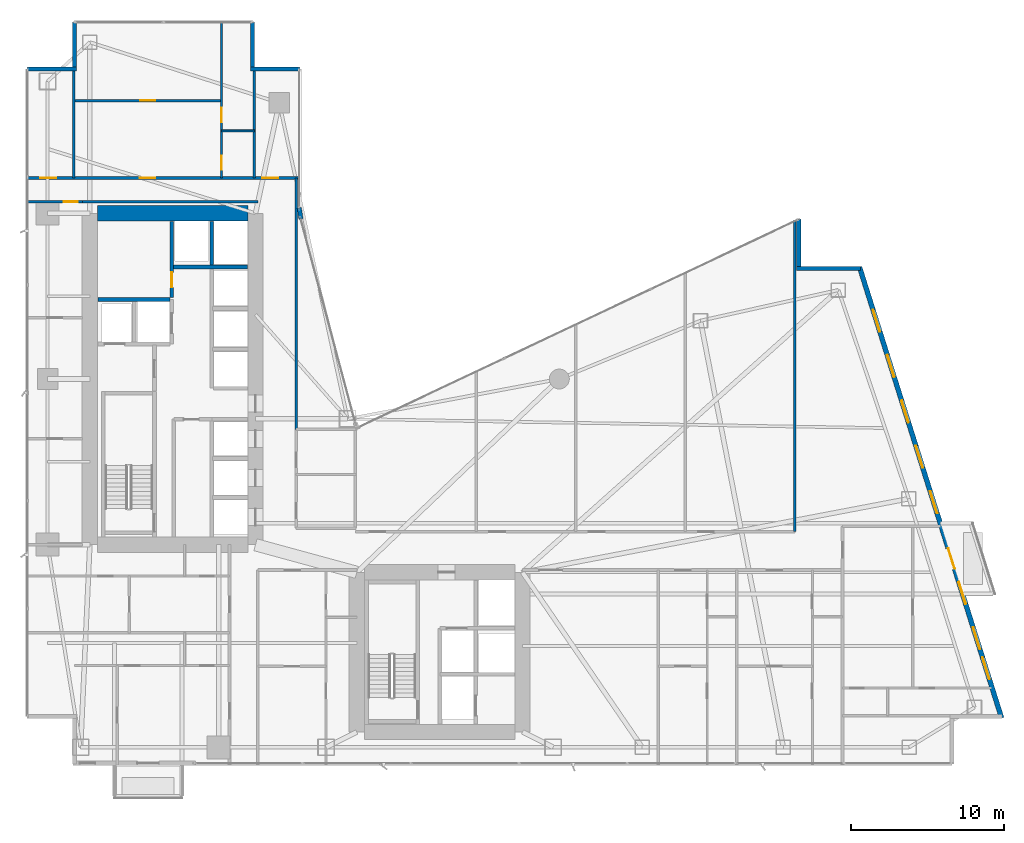
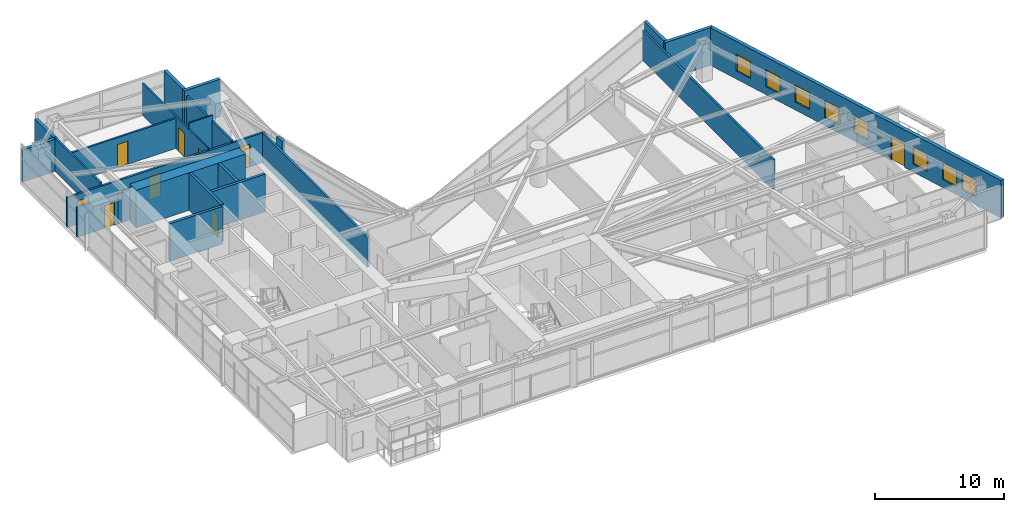
# One storey, part 25 of 29: 23 walls, 9 doors, 8 windows, 17 openings.
"""IFC4 building model written with IfcOpenShell, lengths in metres."""

from ifc_helpers import new_model, si_unit, direction, frame, frame_2d, origin, place, context, subcontext, project, spatial, rectangle, extrude, material, layer, layer_set, type_object, element, fill, save


model = new_model("IFC4")

# Units and contexts
model_context = context("Model", 3, precision=1e-05, world=origin(), true_north=direction((0.0, 1.0)))
body_context = subcontext(model_context, "Body", "Model", "MODEL_VIEW")
ifc_project = project(units=[si_unit("LENGTHUNIT", "METRE"), si_unit("AREAUNIT", "SQUARE_METRE"), si_unit("VOLUMEUNIT", "CUBIC_METRE"), si_unit("PLANEANGLEUNIT", "RADIAN"), si_unit("MASSUNIT", "GRAM", prefix="KILO")], contexts=[model_context])

# Site, building, storey
site_placement = place(None, origin())
site = spatial("IfcSite", under=ifc_project, at=site_placement, CompositionType="ELEMENT")
building_placement = place(site_placement, origin())
building = spatial("IfcBuilding", under=site, at=building_placement, Name="Calvorn Quay Hotel", CompositionType="ELEMENT")
storey_placement = place(building_placement, frame((0.0, 0.0, 81.199951171875)))
storey = spatial("IfcBuildingStorey", under=building, at=storey_placement, Name="L19", CompositionType="ELEMENT", Elevation=81.199951171875)

# Wall
ifc_material_1 = material(Name="Concrete C60", Category="concrete")
ifc_layer_1 = layer(ifc_material_1, 1.0)
ifc_layer_set_1 = layer_set([ifc_layer_1], Name="WL-CORE-1000")
wall_type_1 = type_object("IfcWallType", Name="WL-CORE-1000", PredefinedType="SHEAR", material=ifc_layer_set_1)
wall_1_placement = place(storey_placement, frame((4.699951171875, 38.39990234375, 0.0), z_axis=(0.0, 0.0, 1.0), x_axis=(1.0, 0.0, 0.0)))
element("IfcWall", 1, at=wall_1_placement, inside=storey, type_object=wall_type_1, Name="West Core Shear Wall N (L19)", PredefinedType="SHEAR", context=body_context, shape_type="SweptSolid", body=[
    extrude(rectangle(XDim=9.800048828125, YDim=1.0, at=frame_2d((4.89990234375, 0.0))), origin(), (0.0, 0.0, 1.0), 3.56005859375),
])

# Wall, opening, door
ifc_material_2 = material(Name="Acoustic Fireboard Steel-Stud Partition", Category="steel")
ifc_layer_2 = layer(ifc_material_2, 0.179931640625)
ifc_layer_set_2 = layer_set([ifc_layer_2], Name="WL-CORR-FIRE-180")
wall_type_2 = type_object("IfcWallType", Name="WL-CORR-FIRE-180", PredefinedType="PARTITIONING", material=ifc_layer_set_2)
wall_2_placement = place(storey_placement, frame((0.080078125, 39.14990234375, 0.0), z_axis=(0.0, 0.0, 1.0), x_axis=(1.0, 0.0, 0.0)))
wall_2 = element("IfcWall", 2, at=wall_2_placement, inside=storey, type_object=wall_type_2, Name="Partition Wall L19-WL-WBAY-N-DOOR", PredefinedType="PARTITIONING", context=body_context, shape_type="SweptSolid", body=[
    extrude(rectangle(XDim=3.64990234375, YDim=0.179931640625, at=frame_2d((1.824951171875, 0.0))), origin(), (0.0, 0.0, 1.0), 2.840087890625),
])
opening_1_placement = place(wall_2_placement, frame((2.429931640625, 0.0, 0.0)))
opening_1 = element("IfcOpeningElement", 3, at=opening_1_placement, cuts=wall_2, Name="Opening D-L19-WBN", PredefinedType="OPENING", context=body_context, shape_type="SweptSolid", body=[
    extrude(rectangle(XDim=0.89990234375, YDim=2.14990234375, at=frame_2d((0.449951171875, 1.074951171875))), frame((0.0, 0.099853515625, 0.0), z_axis=(0.0, -1.0, 0.0), x_axis=(1.0, 0.0, 0.0)), (0.0, 0.0, 1.0), 0.199951171875),
])
ifc_material_3 = material(Name="Moisture-Sealed Timber En-Suite Door", Category="wood")
door_type_1 = type_object("IfcDoorType", Name="DR-ENSUITE-900", OperationType="NOTDEFINED", PredefinedType="DOOR", material=ifc_material_3)
door_1_placement = place(opening_1_placement, origin())
door_1 = element("IfcDoor", 4, at=door_1_placement, inside=storey, type_object=door_type_1, Name="West North Bay Door (L19)", OperationType="SINGLE_SWING_LEFT", OverallHeight=2.14990234375, OverallWidth=0.89990234375, PredefinedType="DOOR", context=body_context, shape_type="SweptSolid", body=[
    extrude(rectangle(XDim=0.89990234375, YDim=2.14990234375, at=frame_2d((0.449951171875, 1.074951171875))), frame((0.0, 0.02490234375, 0.0), z_axis=(0.0, -1.0, 0.0), x_axis=(1.0, 0.0, 0.0)), (0.0, 0.0, 1.0), 0.050048828125),
])
fill(opening_1, door_1)

# Wall, openings, doors
wall_3_placement = place(storey_placement, frame((0.080078125, 40.699951171875, 0.0), z_axis=(0.0, 0.0, 1.0), x_axis=(1.0, 0.0, 0.0)))
wall_3 = element("IfcWall", 5, at=wall_3_placement, inside=storey, type_object=wall_type_2, Name="Partition Wall L19-WL-CORR-NW-N", PredefinedType="PARTITIONING", context=body_context, shape_type="SweptSolid", body=[
    extrude(rectangle(XDim=17.77001953125, YDim=0.179931640625, at=frame_2d((8.885009765625, 0.0))), origin(), (0.0, 0.0, 1.0), 2.840087890625),
])
opening_2_placement = place(wall_3_placement, frame((0.89990234375, 0.0, 0.0)))
opening_2 = element("IfcOpeningElement", 6, at=opening_2_placement, cuts=wall_3, Name="Opening D-L19-NWW", PredefinedType="OPENING", context=body_context, shape_type="SweptSolid", body=[
    extrude(rectangle(XDim=1.02001953125, YDim=2.199951171875, at=frame_2d((0.510009765625, 1.10009765625))), frame((0.0, 0.099853515625, 0.0), z_axis=(0.0, -1.0, 0.0), x_axis=(1.0, 0.0, 0.0)), (0.0, 0.0, 1.0), 0.199951171875),
])
opening_3_placement = place(wall_3_placement, frame((7.3798828125, 0.0, 0.0)))
opening_3 = element("IfcOpeningElement", 7, at=opening_3_placement, cuts=wall_3, Name="Opening D-L19-U04", PredefinedType="OPENING", context=body_context, shape_type="SweptSolid", body=[
    extrude(rectangle(XDim=1.02001953125, YDim=2.199951171875, at=frame_2d((0.510009765625, 1.10009765625))), frame((0.0, 0.099853515625, 0.0), z_axis=(0.0, -1.0, 0.0), x_axis=(1.0, 0.0, 0.0)), (0.0, 0.0, 1.0), 0.199951171875),
])
opening_4_placement = place(wall_3_placement, frame((15.3701171875, 0.0, 0.0)))
opening_4 = element("IfcOpeningElement", 8, at=opening_4_placement, cuts=wall_3, Name="Opening D-L19-NWE", PredefinedType="OPENING", context=body_context, shape_type="SweptSolid", body=[
    extrude(rectangle(XDim=1.02001953125, YDim=2.199951171875, at=frame_2d((0.510009765625, 1.10009765625))), frame((0.0, 0.099853515625, 0.0), z_axis=(0.0, -1.0, 0.0), x_axis=(1.0, 0.0, 0.0)), (0.0, 0.0, 1.0), 0.199951171875),
])
ifc_material_4 = material(Name="Solid-Core Walnut Veneer Hotel Fire Door")
door_type_2 = type_object("IfcDoorType", Name="DR-GUEST-ENTRY-1020", OperationType="NOTDEFINED", PredefinedType="DOOR", material=ifc_material_4)
door_2_placement = place(opening_2_placement, origin())
door_2 = element("IfcDoor", 9, at=door_2_placement, inside=storey, type_object=door_type_2, Name="West Corner Study Door (L19)", OperationType="SINGLE_SWING_LEFT", OverallHeight=2.199951171875, OverallWidth=1.02001953125, PredefinedType="DOOR", context=body_context, shape_type="SweptSolid", body=[
    extrude(rectangle(XDim=1.02001953125, YDim=2.199951171875, at=frame_2d((0.510009765625, 1.10009765625))), frame((0.0, 0.02490234375, 0.0), z_axis=(0.0, -1.0, 0.0), x_axis=(1.0, 0.0, 0.0)), (0.0, 0.0, 1.0), 0.050048828125),
])
fill(opening_2, door_2)
door_3_placement = place(opening_3_placement, origin())
door_3 = element("IfcDoor", 10, at=door_3_placement, inside=storey, type_object=door_type_2, Name="North-West Unit Door U04 (L19)", OperationType="SINGLE_SWING_RIGHT", OverallHeight=2.199951171875, OverallWidth=1.02001953125, PredefinedType="DOOR", context=body_context, shape_type="SweptSolid", body=[
    extrude(rectangle(XDim=1.02001953125, YDim=2.199951171875, at=frame_2d((0.510009765625, 1.10009765625))), frame((0.0, 0.02490234375, 0.0), z_axis=(0.0, -1.0, 0.0), x_axis=(1.0, 0.0, 0.0)), (0.0, 0.0, 1.0), 0.050048828125),
])
fill(opening_3, door_3)
door_4_placement = place(opening_4_placement, origin())
door_4 = element("IfcDoor", 11, at=door_4_placement, inside=storey, type_object=door_type_2, Name="Inner Court Study Door (L19)", OperationType="SINGLE_SWING_RIGHT", OverallHeight=2.199951171875, OverallWidth=1.02001953125, PredefinedType="DOOR", context=body_context, shape_type="SweptSolid", body=[
    extrude(rectangle(XDim=1.02001953125, YDim=2.199951171875, at=frame_2d((0.510009765625, 1.10009765625))), frame((0.0, 0.02490234375, 0.0), z_axis=(0.0, -1.0, 0.0), x_axis=(1.0, 0.0, 0.0)), (0.0, 0.0, 1.0), 0.050048828125),
])
fill(opening_4, door_4)

# Walls
wall_4_placement = place(storey_placement, frame((17.64990234375, 24.300048828125, 0.0), z_axis=(0.0, 0.0, 1.0), x_axis=(0.0, 1.0, 0.0)))
element("IfcWall", 12, at=wall_4_placement, inside=storey, type_object=wall_type_2, Name="Partition Wall L19-WL-NW-CLOSURE-E", PredefinedType="PARTITIONING", context=body_context, shape_type="SweptSolid", body=[
    extrude(rectangle(XDim=16.39990234375, YDim=0.179931640625, at=frame_2d((8.199951171875, 0.0))), origin(), (0.0, 0.0, 1.0), 2.840087890625),
])
wall_5_placement = place(storey_placement, frame((3.679931640625, 39.14990234375, 0.0), z_axis=(0.0, 0.0, 1.0), x_axis=(1.0, 0.0, 0.0)))
element("IfcWall", 13, at=wall_5_placement, inside=storey, type_object=wall_type_2, Name="Partition Wall L19-WL-W-SPUR-S", PredefinedType="PARTITIONING", context=body_context, shape_type="SweptSolid", body=[
    extrude(rectangle(XDim=11.469970703125, YDim=0.179931640625, at=frame_2d((5.73486328125, 0.0))), origin(), (0.0, 0.0, 1.0), 2.840087890625),
])
wall_6_placement = place(storey_placement, frame((50.14990234375, 17.64990234375, 0.0), z_axis=(0.0, 0.0, 1.0), x_axis=(0.0, 1.0, 0.0)))
element("IfcWall", 14, at=wall_6_placement, inside=storey, type_object=wall_type_2, Name="Partition Wall L19-WL-NE-END-E", PredefinedType="PARTITIONING", context=body_context, shape_type="SweptSolid", body=[
    extrude(rectangle(XDim=20.31005859375, YDim=0.179931640625, at=frame_2d((10.155029296875, 0.0))), origin(), (0.0, 0.0, 1.0), 2.840087890625),
])
ifc_material_5 = material(Name="Moisture-Resistant Tile-Backed Partition")
ifc_layer_3 = layer(ifc_material_5, 0.125)
ifc_layer_set_3 = layer_set([ifc_layer_3], Name="WL-ENSUITE-125")
wall_type_3 = type_object("IfcWallType", Name="WL-ENSUITE-125", PredefinedType="PARTITIONING", material=ifc_layer_set_3)
wall_7_placement = place(storey_placement, frame((12.7900390625, 43.77001953125, 0.0), z_axis=(0.0, 0.0, 1.0), x_axis=(1.0, 0.0, 0.0)))
element("IfcWall", 15, at=wall_7_placement, inside=storey, type_object=wall_type_3, Name="Partition Wall L19-WL-U04-BDV", PredefinedType="PARTITIONING", context=body_context, shape_type="SweptSolid", body=[
    extrude(rectangle(XDim=2.1298828125, YDim=0.125, at=frame_2d((1.06494140625, 0.0))), origin(), (0.0, 0.0, 1.0), 3.56005859375),
])

# Wall, openings, doors
wall_8_placement = place(storey_placement, frame((12.7900390625, 40.699951171875, 0.0), z_axis=(0.0, 0.0, 1.0), x_axis=(0.0, 1.0, 0.0)))
wall_8 = element("IfcWall", 16, at=wall_8_placement, inside=storey, type_object=wall_type_3, Name="Partition Wall L19-WL-U04-BV", PredefinedType="PARTITIONING", context=body_context, shape_type="SweptSolid", body=[
    extrude(rectangle(XDim=10.239990234375, YDim=0.125, at=frame_2d((5.1201171875, 0.0))), origin(), (0.0, 0.0, 1.0), 3.0400390625),
])
opening_5_placement = place(wall_8_placement, frame((0.550048828125, 0.0, 0.0)))
opening_5 = element("IfcOpeningElement", 17, at=opening_5_placement, cuts=wall_8, Name="Opening D-L19-E04", PredefinedType="OPENING", context=body_context, shape_type="SweptSolid", body=[
    extrude(rectangle(XDim=0.89990234375, YDim=2.14990234375, at=frame_2d((0.449951171875, 1.074951171875))), frame((0.0, 0.072509765625, 0.0), z_axis=(0.0, -1.0, 0.0), x_axis=(1.0, 0.0, 0.0)), (0.0, 0.0, 1.0), 0.14501953125),
])
opening_6_placement = place(wall_8_placement, frame((3.6201171875, 0.0, 0.0)))
opening_6 = element("IfcOpeningElement", 18, at=opening_6_placement, cuts=wall_8, Name="Opening D-L19-S04", PredefinedType="OPENING", context=body_context, shape_type="SweptSolid", body=[
    extrude(rectangle(XDim=0.9599609375, YDim=2.199951171875, at=frame_2d((0.47998046875, 1.10009765625))), frame((0.0, 0.072509765625, 0.0), z_axis=(0.0, -1.0, 0.0), x_axis=(1.0, 0.0, 0.0)), (0.0, 0.0, 1.0), 0.14501953125),
])
door_5_placement = place(opening_5_placement, origin())
door_5 = element("IfcDoor", 19, at=door_5_placement, inside=storey, type_object=door_type_1, Name="En-Suite Door 04", OperationType="SINGLE_SWING_LEFT", OverallHeight=2.14990234375, OverallWidth=0.89990234375, PredefinedType="DOOR", context=body_context, shape_type="SweptSolid", body=[
    extrude(rectangle(XDim=0.89990234375, YDim=2.14990234375, at=frame_2d((0.449951171875, 1.074951171875))), frame((0.0, 0.02490234375, 0.0), z_axis=(0.0, -1.0, 0.0), x_axis=(1.0, 0.0, 0.0)), (0.0, 0.0, 1.0), 0.050048828125),
])
fill(opening_5, door_5)
ifc_material_6 = material(Name="Solid Timber Internal Suite Door", Category="wood")
door_type_3 = type_object("IfcDoorType", Name="DR-SUITE-INT-960", OperationType="NOTDEFINED", PredefinedType="DOOR", material=ifc_material_6)
door_6_placement = place(opening_6_placement, origin())
door_6 = element("IfcDoor", 20, at=door_6_placement, inside=storey, type_object=door_type_3, Name="Private Media Cinema Door 04", OperationType="SINGLE_SWING_RIGHT", OverallHeight=2.199951171875, OverallWidth=0.9599609375, PredefinedType="DOOR", context=body_context, shape_type="SweptSolid", body=[
    extrude(rectangle(XDim=0.9599609375, YDim=2.199951171875, at=frame_2d((0.47998046875, 1.10009765625))), frame((0.0, 0.02490234375, 0.0), z_axis=(0.0, -1.0, 0.0), x_axis=(1.0, 0.0, 0.0)), (0.0, 0.0, 1.0), 0.050048828125),
])
fill(opening_6, door_6)

# Walls
ifc_material_7 = material(Name="Concrete C40", Category="concrete")
ifc_layer_4 = layer(ifc_material_7, 0.320068359375)
ifc_layer_set_4 = layer_set([ifc_layer_4], Name="WL-EXT-SPANDREL-320")
wall_type_4 = type_object("IfcWallType", Name="WL-EXT-SPANDREL-320", PredefinedType="SOLIDWALL", material=ifc_layer_set_4)
wall_9_placement = place(storey_placement, frame((17.9619140625, 38.030029296875, 0.0), z_axis=(0.0, 0.0, 1.0), x_axis=(-0.15141125477, 0.988470855377, 0.0)))
element("IfcWall", 21, at=wall_9_placement, inside=storey, type_object=wall_type_4, Name="Inner Court Corner Pier L19-ICJ2", PredefinedType="SOLIDWALL", context=body_context, shape_type="SweptSolid", body=[
    extrude(rectangle(XDim=0.738525390625, YDim=0.280029296875, at=frame_2d((0.369140625, 0.0))), origin(), (0.0, 0.0, 1.0), 3.56005859375),
])
wall_10_placement = place(storey_placement, frame((54.43994140625, 34.800048828125, 0.0), z_axis=(0.0, 0.0, 1.0), x_axis=(-1.0, 0.0, 0.0)))
element("IfcWall", 22, at=wall_10_placement, inside=storey, type_object=wall_type_4, Name="Notched Corner Spandrel L19-NE1", PredefinedType="SOLIDWALL", context=body_context, shape_type="SweptSolid", body=[
    extrude(rectangle(XDim=4.179931640625, YDim=0.280029296875, at=frame_2d((2.08984375, 0.0))), origin(), (0.0, 0.0, 1.0), 3.56005859375),
])
wall_11_placement = place(storey_placement, frame((50.39990234375, 34.93994140625, 0.0), z_axis=(0.0, 0.0, 1.0), x_axis=(0.0, 1.0, 0.0)))
element("IfcWall", 23, at=wall_11_placement, inside=storey, type_object=wall_type_4, Name="Notched Corner Spandrel L19-NE2", PredefinedType="SOLIDWALL", context=body_context, shape_type="SweptSolid", body=[
    extrude(rectangle(XDim=3.10009765625, YDim=0.280029296875, at=frame_2d((1.550048828125, 0.0))), origin(), (0.0, 0.0, 1.0), 3.56005859375),
])
wall_12_placement = place(storey_placement, frame((17.89990234375, 47.800048828125, 0.0), z_axis=(0.0, 0.0, 1.0), x_axis=(-1.0, 0.0, 0.0)))
element("IfcWall", 24, at=wall_12_placement, inside=storey, type_object=wall_type_4, Name="Notched Corner Spandrel L19-NWE1", PredefinedType="SOLIDWALL", context=body_context, shape_type="SweptSolid", body=[
    extrude(rectangle(XDim=3.239990234375, YDim=0.280029296875, at=frame_2d((1.6201171875, 0.0))), origin(), (0.0, 0.0, 1.0), 3.56005859375),
])
wall_13_placement = place(storey_placement, frame((14.800048828125, 47.93994140625, 0.0), z_axis=(0.0, 0.0, 1.0), x_axis=(0.0, 1.0, 0.0)))
element("IfcWall", 25, at=wall_13_placement, inside=storey, type_object=wall_type_4, Name="Notched Corner Spandrel L19-NWE2", PredefinedType="SOLIDWALL", context=body_context, shape_type="SweptSolid", body=[
    extrude(rectangle(XDim=2.93994140625, YDim=0.280029296875, at=frame_2d((1.469970703125, 0.0))), origin(), (0.0, 0.0, 1.0), 3.56005859375),
])
wall_14_placement = place(storey_placement, frame((3.199951171875, 50.8798828125, 0.0), z_axis=(0.0, 0.0, 1.0), x_axis=(0.0, -1.0, 0.0)))
element("IfcWall", 26, at=wall_14_placement, inside=storey, type_object=wall_type_4, Name="Notched Corner Spandrel L19-NW1", PredefinedType="SOLIDWALL", context=body_context, shape_type="SweptSolid", body=[
    extrude(rectangle(XDim=2.93994140625, YDim=0.280029296875, at=frame_2d((1.469970703125, 0.0))), origin(), (0.0, 0.0, 1.0), 3.0400390625),
])
wall_15_placement = place(storey_placement, frame((3.340087890625, 47.800048828125, 0.0), z_axis=(0.0, 0.0, 1.0), x_axis=(-1.0, 0.0, 0.0)))
element("IfcWall", 27, at=wall_15_placement, inside=storey, type_object=wall_type_4, Name="Notched Corner Spandrel L19-NW2", PredefinedType="SOLIDWALL", context=body_context, shape_type="SweptSolid", body=[
    extrude(rectangle(XDim=3.219970703125, YDim=0.280029296875, at=frame_2d((1.60986328125, 0.0))), origin(), (0.0, 0.0, 1.0), 3.0400390625),
])

# Wall, openings, door, windows
wall_16_placement = place(storey_placement, frame((63.6298828125, 5.5048828125, 0.0), z_axis=(0.0, 0.0, 1.0), x_axis=(-0.300501856448, 0.953781229775, 0.0)))
wall_16 = element("IfcWall", 28, at=wall_16_placement, inside=storey, type_object=wall_type_4, Name="East Stepped Waterfront Exterior Wall (L19)", PredefinedType="SOLIDWALL", context=body_context, shape_type="SweptSolid", body=[
    extrude(rectangle(XDim=30.814453125, YDim=0.320068359375, at=frame_2d((15.4072265625, 0.0))), origin(), (0.0, 0.0, 1.0), 3.56005859375),
])
opening_7_placement = place(wall_16_placement, frame((10.198974609375, 0.0, 0.0)))
opening_7 = element("IfcOpeningElement", 29, at=opening_7_placement, cuts=wall_16, Name="Opening DB-L19-1", PredefinedType="OPENING", context=body_context, shape_type="SweptSolid", body=[
    extrude(rectangle(XDim=1.39990234375, YDim=2.25, at=frame_2d((0.699951171875, 1.125))), frame((0.0, 0.169921875, 0.0), z_axis=(0.0, -1.0, 0.0), x_axis=(1.0, 0.0, 0.0)), (0.0, 0.0, 1.0), 0.340087890625),
])
opening_8_placement = place(wall_16_placement, frame((2.64990234375, 0.0, 0.75)))
opening_8 = element("IfcOpeningElement", 30, at=opening_8_placement, cuts=wall_16, Name="Opening WG-L19-E1", PredefinedType="OPENING", context=body_context, shape_type="SweptSolid", body=[
    extrude(rectangle(XDim=1.5, YDim=1.60009765625, at=frame_2d((0.75, 0.800048828125))), frame((0.0, 0.169921875, 0.0), z_axis=(0.0, -1.0, 0.0), x_axis=(1.0, 0.0, 0.0)), (0.0, 0.0, 1.0), 0.340087890625),
])
opening_9_placement = place(wall_16_placement, frame((4.699951171875, 0.0, 0.75)))
opening_9 = element("IfcOpeningElement", 31, at=opening_9_placement, cuts=wall_16, Name="Opening WG-L19-E2", PredefinedType="OPENING", context=body_context, shape_type="SweptSolid", body=[
    extrude(rectangle(XDim=1.5, YDim=1.60009765625, at=frame_2d((0.75, 0.800048828125))), frame((0.0, 0.169921875, 0.0), z_axis=(0.0, -1.0, 0.0), x_axis=(1.0, 0.0, 0.0)), (0.0, 0.0, 1.0), 0.340087890625),
])
opening_10_placement = place(wall_16_placement, frame((7.800048828125, 0.0, 0.75)))
opening_10 = element("IfcOpeningElement", 32, at=opening_10_placement, cuts=wall_16, Name="Opening WG-L19-E3", PredefinedType="OPENING", context=body_context, shape_type="SweptSolid", body=[
    extrude(rectangle(XDim=1.5, YDim=1.60009765625, at=frame_2d((0.75, 0.800048828125))), frame((0.0, 0.169921875, 0.0), z_axis=(0.0, -1.0, 0.0), x_axis=(1.0, 0.0, 0.0)), (0.0, 0.0, 1.0), 0.340087890625),
])
opening_11_placement = place(wall_16_placement, frame((14.0, 0.0, 0.75)))
opening_11 = element("IfcOpeningElement", 33, at=opening_11_placement, cuts=wall_16, Name="Opening WG-L19-E4", PredefinedType="OPENING", context=body_context, shape_type="SweptSolid", body=[
    extrude(rectangle(XDim=1.5, YDim=1.60009765625, at=frame_2d((0.75, 0.800048828125))), frame((0.0, 0.169921875, 0.0), z_axis=(0.0, -1.0, 0.0), x_axis=(1.0, 0.0, 0.0)), (0.0, 0.0, 1.0), 0.340087890625),
])
opening_12_placement = place(wall_16_placement, frame((17.10009765625, 0.0, 0.75)))
opening_12 = element("IfcOpeningElement", 34, at=opening_12_placement, cuts=wall_16, Name="Opening WG-L19-E5", PredefinedType="OPENING", context=body_context, shape_type="SweptSolid", body=[
    extrude(rectangle(XDim=1.5, YDim=1.60009765625, at=frame_2d((0.75, 0.800048828125))), frame((0.0, 0.169921875, 0.0), z_axis=(0.0, -1.0, 0.0), x_axis=(1.0, 0.0, 0.0)), (0.0, 0.0, 1.0), 0.340087890625),
])
opening_13_placement = place(wall_16_placement, frame((20.199951171875, 0.0, 0.75)))
opening_13 = element("IfcOpeningElement", 35, at=opening_13_placement, cuts=wall_16, Name="Opening WG-L19-E6", PredefinedType="OPENING", context=body_context, shape_type="SweptSolid", body=[
    extrude(rectangle(XDim=1.5, YDim=1.60009765625, at=frame_2d((0.75, 0.800048828125))), frame((0.0, 0.169921875, 0.0), z_axis=(0.0, -1.0, 0.0), x_axis=(1.0, 0.0, 0.0)), (0.0, 0.0, 1.0), 0.340087890625),
])
opening_14_placement = place(wall_16_placement, frame((23.300048828125, 0.0, 0.75)))
opening_14 = element("IfcOpeningElement", 36, at=opening_14_placement, cuts=wall_16, Name="Opening WG-L19-E7", PredefinedType="OPENING", context=body_context, shape_type="SweptSolid", body=[
    extrude(rectangle(XDim=1.5, YDim=1.60009765625, at=frame_2d((0.75, 0.800048828125))), frame((0.0, 0.169921875, 0.0), z_axis=(0.0, -1.0, 0.0), x_axis=(1.0, 0.0, 0.0)), (0.0, 0.0, 1.0), 0.340087890625),
])
opening_15_placement = place(wall_16_placement, frame((26.39990234375, 0.0, 0.75)))
opening_15 = element("IfcOpeningElement", 37, at=opening_15_placement, cuts=wall_16, Name="Opening WG-L19-E8", PredefinedType="OPENING", context=body_context, shape_type="SweptSolid", body=[
    extrude(rectangle(XDim=1.5, YDim=1.60009765625, at=frame_2d((0.75, 0.800048828125))), frame((0.0, 0.169921875, 0.0), z_axis=(0.0, -1.0, 0.0), x_axis=(1.0, 0.0, 0.0)), (0.0, 0.0, 1.0), 0.340087890625),
])
ifc_material_8 = material(Name="Typhoon-Rated Low-E Aluminium Terrace Door", Category="aluminium")
door_type_4 = type_object("IfcDoorType", Name="DR-BALCONY-GLZ-1400", OperationType="NOTDEFINED", PredefinedType="DOOR", material=ifc_material_8)
door_7_placement = place(opening_7_placement, origin())
door_7 = element("IfcDoor", 38, at=door_7_placement, inside=storey, type_object=door_type_4, Name="Tree Balcony Terrace Door L19-BALC-E", OperationType="SINGLE_SWING_LEFT", OverallHeight=2.25, OverallWidth=1.39990234375, PredefinedType="DOOR", context=body_context, shape_type="SweptSolid", body=[
    extrude(rectangle(XDim=1.39990234375, YDim=2.25, at=frame_2d((0.699951171875, 1.125))), frame((0.0, 0.02490234375, 0.0), z_axis=(0.0, -1.0, 0.0), x_axis=(1.0, 0.0, 0.0)), (0.0, 0.0, 1.0), 0.050048828125),
])
fill(opening_7, door_7)
ifc_material_9 = material(Name="Self-Closing Class B Fire Window")
window_type = type_object("IfcWindowType", Name="WIN-REFUGE-1500x1600", PartitioningType="SINGLE_PANEL", PredefinedType="WINDOW", material=ifc_material_9)
window_1_placement = place(opening_8_placement, origin())
window_1 = element("IfcWindow", 39, at=window_1_placement, inside=storey, type_object=window_type, Name="East Facade Window L19-E1", OverallHeight=1.60009765625, OverallWidth=1.5, PartitioningType="SINGLE_PANEL", PredefinedType="WINDOW", context=body_context, shape_type="SweptSolid", body=[
    extrude(rectangle(XDim=1.5, YDim=1.60009765625, at=frame_2d((0.75, 0.800048828125))), frame((0.0, 0.030029296875, 0.0), z_axis=(0.0, -1.0, 0.0), x_axis=(1.0, 0.0, 0.0)), (0.0, 0.0, 1.0), 0.06005859375),
])
fill(opening_8, window_1)
window_2_placement = place(opening_9_placement, origin())
window_2 = element("IfcWindow", 40, at=window_2_placement, inside=storey, type_object=window_type, Name="East Facade Window L19-E2", OverallHeight=1.60009765625, OverallWidth=1.5, PartitioningType="SINGLE_PANEL", PredefinedType="WINDOW", context=body_context, shape_type="SweptSolid", body=[
    extrude(rectangle(XDim=1.5, YDim=1.60009765625, at=frame_2d((0.75, 0.800048828125))), frame((0.0, 0.030029296875, 0.0), z_axis=(0.0, -1.0, 0.0), x_axis=(1.0, 0.0, 0.0)), (0.0, 0.0, 1.0), 0.06005859375),
])
fill(opening_9, window_2)
window_3_placement = place(opening_10_placement, origin())
window_3 = element("IfcWindow", 41, at=window_3_placement, inside=storey, type_object=window_type, Name="East Facade Window L19-E3", OverallHeight=1.60009765625, OverallWidth=1.5, PartitioningType="SINGLE_PANEL", PredefinedType="WINDOW", context=body_context, shape_type="SweptSolid", body=[
    extrude(rectangle(XDim=1.5, YDim=1.60009765625, at=frame_2d((0.75, 0.800048828125))), frame((0.0, 0.030029296875, 0.0), z_axis=(0.0, -1.0, 0.0), x_axis=(1.0, 0.0, 0.0)), (0.0, 0.0, 1.0), 0.06005859375),
])
fill(opening_10, window_3)
window_4_placement = place(opening_11_placement, origin())
window_4 = element("IfcWindow", 42, at=window_4_placement, inside=storey, type_object=window_type, Name="East Facade Window L19-E4", OverallHeight=1.60009765625, OverallWidth=1.5, PartitioningType="SINGLE_PANEL", PredefinedType="WINDOW", context=body_context, shape_type="SweptSolid", body=[
    extrude(rectangle(XDim=1.5, YDim=1.60009765625, at=frame_2d((0.75, 0.800048828125))), frame((0.0, 0.030029296875, 0.0), z_axis=(0.0, -1.0, 0.0), x_axis=(1.0, 0.0, 0.0)), (0.0, 0.0, 1.0), 0.06005859375),
])
fill(opening_11, window_4)
window_5_placement = place(opening_12_placement, origin())
window_5 = element("IfcWindow", 43, at=window_5_placement, inside=storey, type_object=window_type, Name="East Facade Window L19-E5", OverallHeight=1.60009765625, OverallWidth=1.5, PartitioningType="SINGLE_PANEL", PredefinedType="WINDOW", context=body_context, shape_type="SweptSolid", body=[
    extrude(rectangle(XDim=1.5, YDim=1.60009765625, at=frame_2d((0.75, 0.800048828125))), frame((0.0, 0.030029296875, 0.0), z_axis=(0.0, -1.0, 0.0), x_axis=(1.0, 0.0, 0.0)), (0.0, 0.0, 1.0), 0.06005859375),
])
fill(opening_12, window_5)
window_6_placement = place(opening_13_placement, origin())
window_6 = element("IfcWindow", 44, at=window_6_placement, inside=storey, type_object=window_type, Name="East Facade Window L19-E6", OverallHeight=1.60009765625, OverallWidth=1.5, PartitioningType="SINGLE_PANEL", PredefinedType="WINDOW", context=body_context, shape_type="SweptSolid", body=[
    extrude(rectangle(XDim=1.5, YDim=1.60009765625, at=frame_2d((0.75, 0.800048828125))), frame((0.0, 0.030029296875, 0.0), z_axis=(0.0, -1.0, 0.0), x_axis=(1.0, 0.0, 0.0)), (0.0, 0.0, 1.0), 0.06005859375),
])
fill(opening_13, window_6)
window_7_placement = place(opening_14_placement, origin())
window_7 = element("IfcWindow", 45, at=window_7_placement, inside=storey, type_object=window_type, Name="East Facade Window L19-E7", OverallHeight=1.60009765625, OverallWidth=1.5, PartitioningType="SINGLE_PANEL", PredefinedType="WINDOW", context=body_context, shape_type="SweptSolid", body=[
    extrude(rectangle(XDim=1.5, YDim=1.60009765625, at=frame_2d((0.75, 0.800048828125))), frame((0.0, 0.030029296875, 0.0), z_axis=(0.0, -1.0, 0.0), x_axis=(1.0, 0.0, 0.0)), (0.0, 0.0, 1.0), 0.06005859375),
])
fill(opening_14, window_7)
window_8_placement = place(opening_15_placement, origin())
window_8 = element("IfcWindow", 46, at=window_8_placement, inside=storey, type_object=window_type, Name="East Facade Window L19-E8", OverallHeight=1.60009765625, OverallWidth=1.5, PartitioningType="SINGLE_PANEL", PredefinedType="WINDOW", context=body_context, shape_type="SweptSolid", body=[
    extrude(rectangle(XDim=1.5, YDim=1.60009765625, at=frame_2d((0.75, 0.800048828125))), frame((0.0, 0.030029296875, 0.0), z_axis=(0.0, -1.0, 0.0), x_axis=(1.0, 0.0, 0.0)), (0.0, 0.0, 1.0), 0.06005859375),
])
fill(opening_15, window_8)

# Walls
ifc_material_10 = material(Name="Double-Stud Acoustic Gypsum Partition")
ifc_layer_5 = layer(ifc_material_10, 0.159912109375)
ifc_layer_set_5 = layer_set([ifc_layer_5], Name="WL-INTERSUITE-160")
wall_type_5 = type_object("IfcWallType", Name="WL-INTERSUITE-160", PredefinedType="PARTITIONING", material=ifc_layer_set_5)
wall_17_placement = place(storey_placement, frame((3.14990234375, 40.699951171875, 0.0), z_axis=(0.0, 0.0, 1.0), x_axis=(0.0, 1.0, 0.0)))
element("IfcWall", 47, at=wall_17_placement, inside=storey, type_object=wall_type_5, Name="Partition Wall L19-WL-NW-DIV-W0", PredefinedType="PARTITIONING", context=body_context, shape_type="SweptSolid", body=[
    extrude(rectangle(XDim=7.10009765625, YDim=0.159912109375, at=frame_2d((3.550048828125, 0.0))), origin(), (0.0, 0.0, 1.0), 3.14013671875),
])
wall_18_placement = place(storey_placement, frame((14.919921875, 40.699951171875, 0.0), z_axis=(0.0, 0.0, 1.0), x_axis=(0.0, 1.0, 0.0)))
element("IfcWall", 48, at=wall_18_placement, inside=storey, type_object=wall_type_5, Name="Partition Wall L19-WL-NW-DIV-E0", PredefinedType="PARTITIONING", context=body_context, shape_type="SweptSolid", body=[
    extrude(rectangle(XDim=7.10009765625, YDim=0.159912109375, at=frame_2d((3.550048828125, 0.0))), origin(), (0.0, 0.0, 1.0), 3.0400390625),
])

# Wall, opening, door
wall_19_placement = place(storey_placement, frame((3.14990234375, 45.75, 0.0), z_axis=(0.0, 0.0, 1.0), x_axis=(1.0, 0.0, 0.0)))
wall_19 = element("IfcWall", 49, at=wall_19_placement, inside=storey, type_object=wall_type_5, Name="Partition Wall L19-WL-U04-MSP", PredefinedType="PARTITIONING", context=body_context, shape_type="SweptSolid", body=[
    extrude(rectangle(XDim=9.64013671875, YDim=0.159912109375, at=frame_2d((4.820068359375, 0.0))), origin(), (0.0, 0.0, 1.0), 2.840087890625),
])
opening_16_placement = place(wall_19_placement, frame((4.340087890625, 0.0, 0.0)))
opening_16 = element("IfcOpeningElement", 50, at=opening_16_placement, cuts=wall_19, Name="Opening D-L19-M04", PredefinedType="OPENING", context=body_context, shape_type="SweptSolid", body=[
    extrude(rectangle(XDim=0.9599609375, YDim=2.199951171875, at=frame_2d((0.47998046875, 1.10009765625))), frame((0.0, 0.08984375, 0.0), z_axis=(0.0, -1.0, 0.0), x_axis=(1.0, 0.0, 0.0)), (0.0, 0.0, 1.0), 0.179931640625),
])
door_8_placement = place(opening_16_placement, origin())
door_8 = element("IfcDoor", 51, at=door_8_placement, inside=storey, type_object=door_type_3, Name="Suite Bedroom Door 04", OperationType="SINGLE_SWING_LEFT", OverallHeight=2.199951171875, OverallWidth=0.9599609375, PredefinedType="DOOR", context=body_context, shape_type="SweptSolid", body=[
    extrude(rectangle(XDim=0.9599609375, YDim=2.199951171875, at=frame_2d((0.47998046875, 1.10009765625))), frame((0.0, 0.02490234375, 0.0), z_axis=(0.0, -1.0, 0.0), x_axis=(1.0, 0.0, 0.0)), (0.0, 0.0, 1.0), 0.050048828125),
])
fill(opening_16, door_8)

ifc_material_11 = material(Name="Autoclaved Aerated Masonry Block", Category="masonry")
ifc_layer_6 = layer(ifc_material_11, 0.219970703125)
ifc_layer_set_6 = layer_set([ifc_layer_6], Name="WL-LOBBY-FIRE-220")
wall_type_6 = type_object("IfcWallType", Name="WL-LOBBY-FIRE-220", PredefinedType="SOLIDWALL", material=ifc_layer_set_6)
wall_20_placement = place(storey_placement, frame((9.5400390625, 32.919921875, 0.0), z_axis=(0.0, 0.0, 1.0), x_axis=(0.0, 1.0, 0.0)))
wall_20 = element("IfcWall", 52, at=wall_20_placement, inside=storey, type_object=wall_type_6, Name="Partition Wall L19-WL-CWW-K-E", PredefinedType="SOLIDWALL", context=body_context, shape_type="SweptSolid", body=[
    extrude(rectangle(XDim=4.9599609375, YDim=0.219970703125, at=frame_2d((2.47998046875, 0.0))), origin(), (0.0, 0.0, 1.0), 3.56005859375),
])
opening_17_placement = place(wall_20_placement, frame((0.64990234375, 0.0, 0.0)))
opening_17 = element("IfcOpeningElement", 53, at=opening_17_placement, cuts=wall_20, Name="Opening D-L19-CK1", PredefinedType="OPENING", context=body_context, shape_type="SweptSolid", body=[
    extrude(rectangle(XDim=0.97998046875, YDim=2.14990234375, at=frame_2d((0.489990234375, 1.074951171875))), frame((0.0, 0.119873046875, 0.0), z_axis=(0.0, -1.0, 0.0), x_axis=(1.0, 0.0, 0.0)), (0.0, 0.0, 1.0), 0.239990234375),
])
ifc_material_12 = material(Name="Painted Steel Housekeeping/Riser Fire Door", Category="steel")
door_type_5 = type_object("IfcDoorType", Name="DR-SERVICE-980", OperationType="NOTDEFINED", PredefinedType="DOOR", material=ifc_material_12)
door_9_placement = place(opening_17_placement, origin())
door_9 = element("IfcDoor", 54, at=door_9_placement, inside=storey, type_object=door_type_5, Name="Core Linen Room Door (L19)", OperationType="SINGLE_SWING_LEFT", OverallHeight=2.14990234375, OverallWidth=0.97998046875, PredefinedType="DOOR", context=body_context, shape_type="SweptSolid", body=[
    extrude(rectangle(XDim=0.97998046875, YDim=2.14990234375, at=frame_2d((0.489990234375, 1.074951171875))), frame((0.0, 0.02490234375, 0.0), z_axis=(0.0, -1.0, 0.0), x_axis=(1.0, 0.0, 0.0)), (0.0, 0.0, 1.0), 0.050048828125),
])
fill(opening_17, door_9)

# Walls
ifc_material_13 = material(Name="Concrete C40", Category="concrete")
ifc_layer_7 = layer(ifc_material_13, 0.239990234375)
ifc_layer_set_7 = layer_set([ifc_layer_7], Name="WL-SHAFT-240")
wall_type_7 = type_object("IfcWallType", Name="WL-SHAFT-240", PredefinedType="SOLIDWALL", material=ifc_layer_set_7)
wall_21_placement = place(storey_placement, frame((4.719970703125, 32.780029296875, 0.0), z_axis=(0.0, 0.0, 1.0), x_axis=(1.0, 0.0, 0.0)))
element("IfcWall", 55, at=wall_21_placement, inside=storey, type_object=wall_type_7, Name="Partition Wall L19-WL-CWW-SLW-N", PredefinedType="SOLIDWALL", context=body_context, shape_type="SweptSolid", body=[
    extrude(rectangle(XDim=4.699951171875, YDim=0.239990234375, at=frame_2d((2.35009765625, 0.0))), origin(), (0.0, 0.0, 1.0), 3.56005859375),
])
wall_22_placement = place(storey_placement, frame((9.659912109375, 34.89990234375, 0.0), z_axis=(0.0, 0.0, 1.0), x_axis=(1.0, 0.0, 0.0)))
element("IfcWall", 56, at=wall_22_placement, inside=storey, type_object=wall_type_7, Name="Partition Wall L19-WL-CWW-PLH-S", PredefinedType="SOLIDWALL", context=body_context, shape_type="SweptSolid", body=[
    extrude(rectangle(XDim=4.820068359375, YDim=0.239990234375, at=frame_2d((2.41015625, 0.0))), origin(), (0.0, 0.0, 1.0), 3.56005859375),
])
wall_23_placement = place(storey_placement, frame((12.14990234375, 35.02001953125, 0.0), z_axis=(0.0, 0.0, 1.0), x_axis=(0.0, 1.0, 0.0)))
element("IfcWall", 57, at=wall_23_placement, inside=storey, type_object=wall_type_7, Name="Partition Wall L19-WL-CWW-PLH-DIV", PredefinedType="SOLIDWALL", context=body_context, shape_type="SweptSolid", body=[
    extrude(rectangle(XDim=2.85986328125, YDim=0.239990234375, at=frame_2d((1.429931640625, 0.0))), origin(), (0.0, 0.0, 1.0), 3.56005859375),
])

save(model, "model.ifc")
